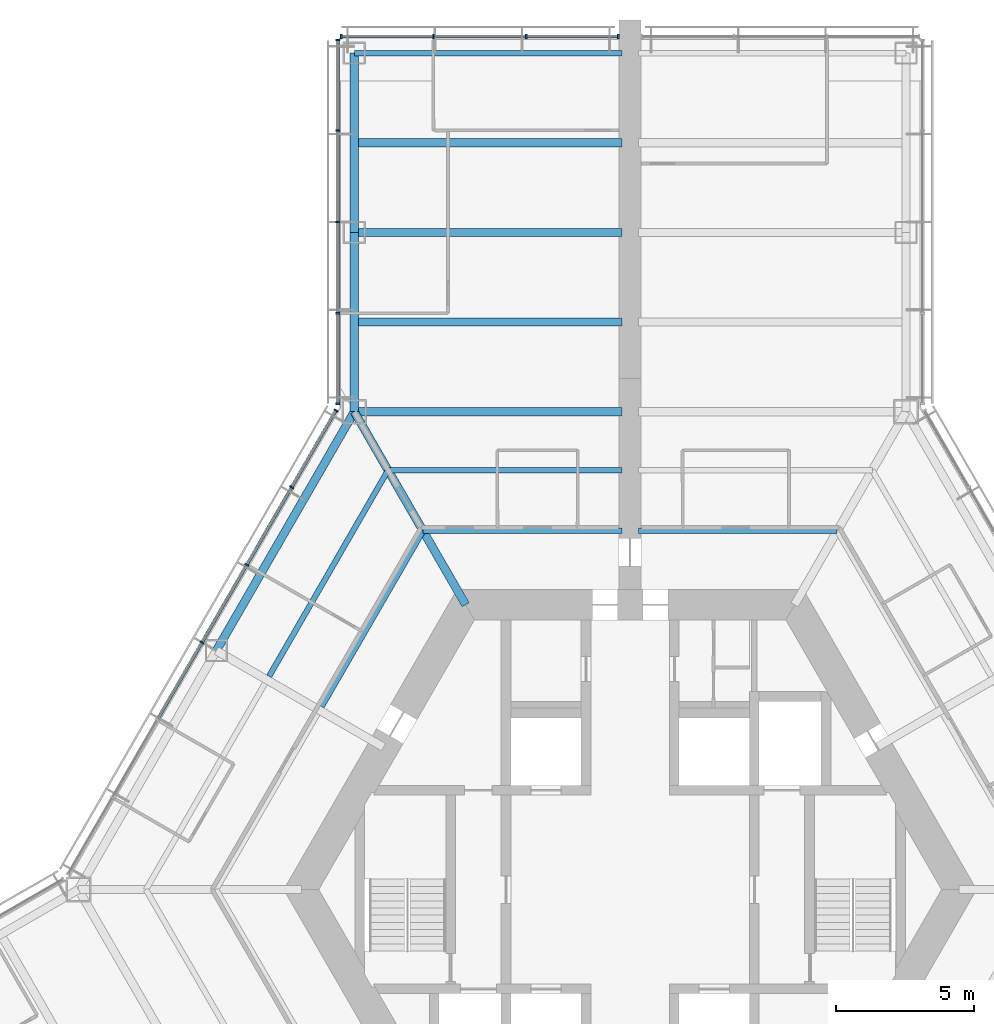
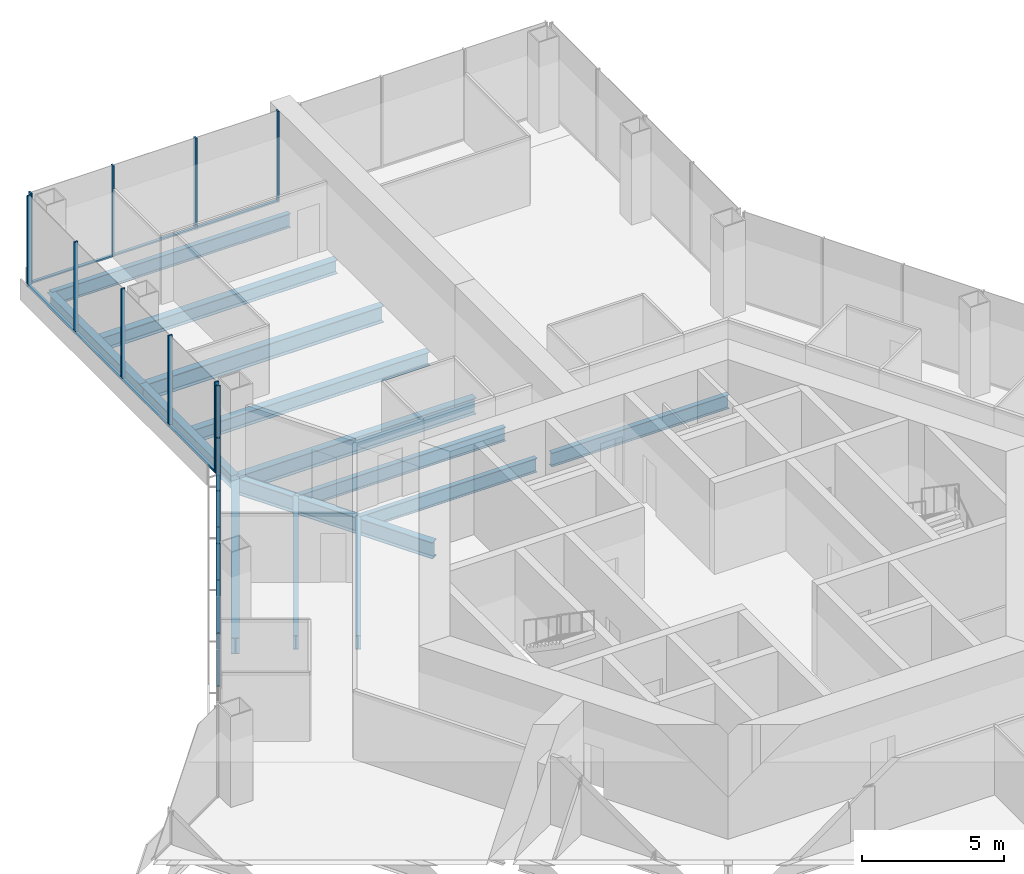
# One storey, part 7 of 18: 24 members, 14 beams, 3 elements without a shape of their own.
"""IFC4 building model written with IfcOpenShell, lengths in metres."""

from ifc_helpers import new_model, si_unit, direction, frame, origin, origin_2d, place, context, subcontext, project, spatial, rectangle, i_section, extrude, material, material_profile, profile_set, type_object, element, aggregate, save


model = new_model("IFC4")

# Units and contexts
model_context = context("Model", 3, precision=1e-05, world=origin(), true_north=direction((0.0, 1.0)))
body_context = subcontext(model_context, "Body", "Model", "MODEL_VIEW")
ifc_project = project(units=[si_unit("LENGTHUNIT", "METRE"), si_unit("AREAUNIT", "SQUARE_METRE"), si_unit("VOLUMEUNIT", "CUBIC_METRE"), si_unit("PLANEANGLEUNIT", "RADIAN"), si_unit("MASSUNIT", "GRAM", prefix="KILO")], contexts=[model_context])

# Site, building, storey
site_placement = place(None, origin())
site = spatial("IfcSite", under=ifc_project, at=site_placement, CompositionType="ELEMENT")
building_placement = place(site_placement, origin())
building = spatial("IfcBuilding", under=site, at=building_placement, Name="Kasaneha Research Tower", CompositionType="ELEMENT")
storey_placement = place(building_placement, frame((0.0, 0.0, 111.89990234375)))
storey = spatial("IfcBuildingStorey", under=building, at=storey_placement, Name="L28", CompositionType="ELEMENT", Elevation=111.89990234375)

# Beams
ifc_material_1 = material(Name="Steel SN490B", Category="steel")
ifc_material_profile_1 = material_profile(ifc_material_1, i_section(OverallWidth=0.199951171875, OverallDepth=0.60009765625, WebThickness=0.010986328125, FlangeThickness=0.01708984375, FilletRadius=0.012939453125, at=origin_2d()), Name="H-600x200x11x17")
ifc_profile_set_1 = profile_set([ifc_material_profile_1], Name="Steel SN490B")
beam_type_1 = type_object("IfcBeamType", Name="B1-3 secondary beam H-600x200x11x17", PredefinedType="JOIST", material=ifc_profile_set_1)
for number, where, z_axis, x_axis, name in (
    (1, (7.505615234375, 13.0, -0.449951171875), (-1.0, 0.0, 0.0), (0.0, -1.0, 0.0), "Secondary beam RS090L1 L28"),
    (2, (-7.505615234375, 13.0, -0.449951171875), (1.0, 0.0, 0.0), (0.0, 1.0, 0.0), "Secondary beam RS090R1 L28"),
):
    element("IfcBeam", number, at=place(storey_placement, frame(where, z_axis=z_axis, x_axis=x_axis)), inside=storey, type_object=beam_type_1, Name=name, PredefinedType="JOIST", context=body_context, shape_type="SweptSolid", body=[
        extrude(i_section(OverallWidth=0.199951171875, OverallDepth=0.60009765625, WebThickness=0.010986328125, FlangeThickness=0.01708984375, FilletRadius=0.012939453125, at=origin_2d()), origin(), (0.0, 0.0, 1.0), 7.20556640625),
    ])
beam_1_placement = place(storey_placement, frame((-8.775634765625, 15.199951171875, -0.449951171875), z_axis=(1.0, 0.0, 0.0), x_axis=(0.0, 1.0, 0.0)))
element("IfcBeam", 3, at=beam_1_placement, inside=storey, type_object=beam_type_1, Name="Secondary beam RS090R2 L28", PredefinedType="JOIST", context=body_context, shape_type="SweptSolid", body=[
    extrude(i_section(OverallWidth=0.199951171875, OverallDepth=0.60009765625, WebThickness=0.010986328125, FlangeThickness=0.01708984375, FilletRadius=0.012939453125, at=origin_2d()), origin(), (0.0, 0.0, 1.0), 8.4755859375),
])
beam_2_placement = place(storey_placement, frame((-7.505615234375, 13.0, -0.449951171875), z_axis=(-0.499994443168, -0.866028611999, 0.0), x_axis=(0.866028611999, -0.499994443168, 0.0)))
element("IfcBeam", 4, at=beam_2_placement, inside=storey, type_object=beam_type_1, Name="Secondary beam RS150L1 L28", PredefinedType="JOIST", context=body_context, shape_type="SweptSolid", body=[
    extrude(i_section(OverallWidth=0.199951171875, OverallDepth=0.60009765625, WebThickness=0.010986328125, FlangeThickness=0.01708984375, FilletRadius=0.012939453125, at=origin_2d()), origin(), (0.0, 0.0, 1.0), 7.35546875),
])
beam_3_placement = place(storey_placement, frame((-8.775634765625, 15.199951171875, -0.449951171875), z_axis=(-0.500017275495, -0.866015429543, 0.0), x_axis=(0.866015429543, -0.500017275495, 0.0)))
element("IfcBeam", 5, at=beam_3_placement, inside=storey, type_object=beam_type_1, Name="Secondary beam RS150L2 L28", PredefinedType="JOIST", context=body_context, shape_type="SweptSolid", body=[
    extrude(i_section(OverallWidth=0.199951171875, OverallDepth=0.60009765625, WebThickness=0.010986328125, FlangeThickness=0.01708984375, FilletRadius=0.012939453125, at=origin_2d()), origin(), (0.0, 0.0, 1.0), 8.625732421875),
])
ifc_material_2 = material(Name="Steel SN490B", Category="steel")
ifc_material_profile_2 = material_profile(ifc_material_2, i_section(OverallWidth=0.300048828125, OverallDepth=0.58203125, WebThickness=0.011962890625, FlangeThickness=0.01708984375, FilletRadius=0.012939453125, at=origin_2d()), Name="H-582x300x12x17")
ifc_profile_set_2 = profile_set([ifc_material_profile_2], Name="Steel SN490B")
beam_type_2 = type_object("IfcBeamType", Name="B2-3 secondary beam H-582x300x12x17", PredefinedType="JOIST", material=ifc_profile_set_2)
for number, where, z_axis, x_axis, name in (
    (6, (-10.0, 20.570556640625, -0.44091796875), (1.0, 0.0, 0.0), (0.0, 1.0, 0.0), "Secondary beam WBAN1 L28"),
    (7, (-10.0, 27.070556640625, -0.44091796875), (1.0, 0.0, 0.0), (0.0, 1.0, 0.0), "Secondary beam WBAN2 L28"),
):
    element("IfcBeam", number, at=place(storey_placement, frame(where, z_axis=z_axis, x_axis=x_axis)), inside=storey, type_object=beam_type_2, Name=name, PredefinedType="JOIST", context=body_context, shape_type="SweptSolid", body=[
        extrude(i_section(OverallWidth=0.300048828125, OverallDepth=0.58203125, WebThickness=0.011962890625, FlangeThickness=0.01708984375, FilletRadius=0.012939453125, at=origin_2d()), origin(), (0.0, 0.0, 1.0), 9.699951171875),
    ])

# Curtain wall, members
ifc_material_3 = material(Name="Glass and aluminium", Category="aluminium")
curtain_wall_type = type_object("IfcCurtainWallType", Name="Low-rise office curtain wall", PredefinedType="USERDEFINED", material=ifc_material_3)
curtain_wall_1_placement = place(storey_placement, origin())
curtain_wall_1 = element("IfcCurtainWall", 8, at=curtain_wall_1_placement, inside=storey, type_object=curtain_wall_type, Name="CW-O1 L28 run 10a", ObjectType="UNITISED CURTAIN WALL", PredefinedType="USERDEFINED")
ifc_material_4 = material(Name="Aluminium 6063-T6", Category="aluminium")
ifc_material_profile_3 = material_profile(ifc_material_4, rectangle(XDim=0.06005859375, YDim=0.159912109375, at=origin_2d()), Name="CW-O1 mullion 60x160")
ifc_profile_set_3 = profile_set([ifc_material_profile_3], Name="Aluminium 6063-T6")
member_type_1 = type_object("IfcMemberType", Name="CW-O1 mullion", PredefinedType="MULLION", material=ifc_profile_set_3)
member_1_placement = place(storey_placement, frame((-0.429931640625, 30.92041015625, 0.0), z_axis=(0.0, 0.0, 1.0), x_axis=(-1.0, 0.0, 0.0)))
member_1 = element("IfcMember", 9, at=member_1_placement, type_object=member_type_1, Name="CW-O1 mullion 1", PredefinedType="MULLION", context=body_context, shape_type="SweptSolid", body=[
    extrude(rectangle(XDim=0.06005859375, YDim=0.159912109375, at=origin_2d()), origin(), (0.0, 0.0, 1.0), 3.900146484375),
])
member_2_placement = place(storey_placement, frame((-3.7666015625, 30.92041015625, 0.0), z_axis=(0.0, 0.0, 1.0), x_axis=(-1.0, 0.0, 0.0)))
member_2 = element("IfcMember", 10, at=member_2_placement, type_object=member_type_1, Name="CW-O1 mullion 2", PredefinedType="MULLION", context=body_context, shape_type="SweptSolid", body=[
    extrude(rectangle(XDim=0.06005859375, YDim=0.159912109375, at=origin_2d()), origin(), (0.0, 0.0, 1.0), 3.900146484375),
])
member_3_placement = place(storey_placement, frame((-7.13330078125, 30.92041015625, 0.0), z_axis=(0.0, 0.0, 1.0), x_axis=(-1.0, 0.0, 0.0)))
member_3 = element("IfcMember", 11, at=member_3_placement, type_object=member_type_1, Name="CW-O1 mullion 3", PredefinedType="MULLION", context=body_context, shape_type="SweptSolid", body=[
    extrude(rectangle(XDim=0.06005859375, YDim=0.159912109375, at=origin_2d()), origin(), (0.0, 0.0, 1.0), 3.900146484375),
])
member_4_placement = place(storey_placement, frame((-10.469970703125, 30.92041015625, 0.0), z_axis=(0.0, 0.0, 1.0), x_axis=(-1.0, 0.0, 0.0)))
member_4 = element("IfcMember", 12, at=member_4_placement, type_object=member_type_1, Name="CW-O1 mullion 4", PredefinedType="MULLION", context=body_context, shape_type="SweptSolid", body=[
    extrude(rectangle(XDim=0.06005859375, YDim=0.159912109375, at=origin_2d()), origin(), (0.0, 0.0, 1.0), 3.900146484375),
])

curtain_wall_2_placement = place(storey_placement, origin())
curtain_wall_2 = element("IfcCurtainWall", 13, at=curtain_wall_2_placement, inside=storey, type_object=curtain_wall_type, Name="CW-O1 L28 run 11a", ObjectType="UNITISED CURTAIN WALL", PredefinedType="USERDEFINED")
member_5_placement = place(storey_placement, frame((-10.60009765625, 30.79052734375, 0.0), z_axis=(0.0, 0.0, 1.0), x_axis=(0.0, -1.0, 0.0)))
member_5 = element("IfcMember", 14, at=member_5_placement, type_object=member_type_1, Name="CW-O1 mullion 1", PredefinedType="MULLION", context=body_context, shape_type="SweptSolid", body=[
    extrude(rectangle(XDim=0.06005859375, YDim=0.159912109375, at=origin_2d()), origin(), (0.0, 0.0, 1.0), 3.900146484375),
])
member_6_placement = place(storey_placement, frame((-10.60009765625, 27.5107421875, 0.0), z_axis=(0.0, 0.0, 1.0), x_axis=(0.0, -1.0, 0.0)))
member_6 = element("IfcMember", 15, at=member_6_placement, type_object=member_type_1, Name="CW-O1 mullion 2", PredefinedType="MULLION", context=body_context, shape_type="SweptSolid", body=[
    extrude(rectangle(XDim=0.06005859375, YDim=0.159912109375, at=origin_2d()), origin(), (0.0, 0.0, 1.0), 3.900146484375),
])
member_7_placement = place(storey_placement, frame((-10.60009765625, 24.200927734375, 0.0), z_axis=(0.0, 0.0, 1.0), x_axis=(0.0, -1.0, 0.0)))
member_7 = element("IfcMember", 16, at=member_7_placement, type_object=member_type_1, Name="CW-O1 mullion 3", PredefinedType="MULLION", context=body_context, shape_type="SweptSolid", body=[
    extrude(rectangle(XDim=0.06005859375, YDim=0.159912109375, at=origin_2d()), origin(), (0.0, 0.0, 1.0), 3.900146484375),
])
member_8_placement = place(storey_placement, frame((-10.60009765625, 20.89111328125, 0.0), z_axis=(0.0, 0.0, 1.0), x_axis=(0.0, -1.0, 0.0)))
member_8 = element("IfcMember", 17, at=member_8_placement, type_object=member_type_1, Name="CW-O1 mullion 4", PredefinedType="MULLION", context=body_context, shape_type="SweptSolid", body=[
    extrude(rectangle(XDim=0.06005859375, YDim=0.159912109375, at=origin_2d()), origin(), (0.0, 0.0, 1.0), 3.900146484375),
])
member_9_placement = place(storey_placement, frame((-10.60009765625, 17.611328125, 0.0), z_axis=(0.0, 0.0, 1.0), x_axis=(0.0, -1.0, 0.0)))
member_9 = element("IfcMember", 18, at=member_9_placement, type_object=member_type_1, Name="CW-O1 mullion 5", PredefinedType="MULLION", context=body_context, shape_type="SweptSolid", body=[
    extrude(rectangle(XDim=0.06005859375, YDim=0.159912109375, at=origin_2d()), origin(), (0.0, 0.0, 1.0), 3.900146484375),
])

curtain_wall_3_placement = place(storey_placement, origin())
curtain_wall_3 = element("IfcCurtainWall", 19, at=curtain_wall_3_placement, inside=storey, type_object=curtain_wall_type, Name="CW-O1 L28 run 12a", ObjectType="UNITISED CURTAIN WALL", PredefinedType="USERDEFINED")
member_10_placement = place(storey_placement, frame((-10.6650390625, 17.36865234375, 0.0), z_axis=(0.0, 0.0, 1.0), x_axis=(-0.49999996188, -0.866025425793, 0.0)))
member_10 = element("IfcMember", 20, at=member_10_placement, type_object=member_type_1, Name="CW-O1 mullion 1", PredefinedType="MULLION", context=body_context, shape_type="SweptSolid", body=[
    extrude(rectangle(XDim=0.06005859375, YDim=0.159912109375, at=origin_2d()), origin(), (0.0, 0.0, 1.0), 3.900146484375),
])
member_11_placement = place(storey_placement, frame((-12.273193359375, 14.583251953125, 0.0), z_axis=(0.0, 0.0, 1.0), x_axis=(-0.49999996188, -0.866025425793, 0.0)))
member_11 = element("IfcMember", 21, at=member_11_placement, type_object=member_type_1, Name="CW-O1 mullion 2", PredefinedType="MULLION", context=body_context, shape_type="SweptSolid", body=[
    extrude(rectangle(XDim=0.06005859375, YDim=0.159912109375, at=origin_2d()), origin(), (0.0, 0.0, 1.0), 3.900146484375),
])
member_12_placement = place(storey_placement, frame((-13.896484375, 11.771728515625, 0.0), z_axis=(0.0, 0.0, 1.0), x_axis=(-0.49999996188, -0.866025425793, 0.0)))
member_12 = element("IfcMember", 22, at=member_12_placement, type_object=member_type_1, Name="CW-O1 mullion 3", PredefinedType="MULLION", context=body_context, shape_type="SweptSolid", body=[
    extrude(rectangle(XDim=0.06005859375, YDim=0.159912109375, at=origin_2d()), origin(), (0.0, 0.0, 1.0), 3.900146484375),
])
member_13_placement = place(storey_placement, frame((-15.51953125, 8.960205078125, 0.0), z_axis=(0.0, 0.0, 1.0), x_axis=(-0.49999996188, -0.866025425793, 0.0)))
member_13 = element("IfcMember", 23, at=member_13_placement, type_object=member_type_1, Name="CW-O1 mullion 4", PredefinedType="MULLION", context=body_context, shape_type="SweptSolid", body=[
    extrude(rectangle(XDim=0.06005859375, YDim=0.159912109375, at=origin_2d()), origin(), (0.0, 0.0, 1.0), 3.900146484375),
])

# Member
ifc_material_5 = material(Name="Aluminium 6063-T6", Category="aluminium")
ifc_material_profile_4 = material_profile(ifc_material_5, rectangle(XDim=0.1201171875, YDim=0.06005859375, at=origin_2d()), Name="CW-O1 transom 120x60")
ifc_profile_set_4 = profile_set([ifc_material_profile_4], Name="Aluminium 6063-T6")
member_type_2 = type_object("IfcMemberType", Name="CW-O1 transom", PredefinedType="USERDEFINED", material=ifc_profile_set_4)
member_14_placement = place(storey_placement, frame((-0.4599609375, 30.92041015625, 0.030029296875), z_axis=(-1.0, 0.0, 0.0), x_axis=(0.0, -1.0, 0.0)))
member_14 = element("IfcMember", 24, at=member_14_placement, type_object=member_type_2, Name="CW-O1 transom 1", ObjectType="TRANSOM", PredefinedType="USERDEFINED", context=body_context, shape_type="SweptSolid", body=[
    extrude(rectangle(XDim=0.1201171875, YDim=0.06005859375, at=origin_2d()), origin(), (0.0, 0.0, 1.0), 3.276611328125),
])

member_15_placement = place(storey_placement, frame((-3.796630859375, 30.92041015625, 0.030029296875), z_axis=(-1.0, 0.0, 0.0), x_axis=(0.0, -1.0, 0.0)))
member_15 = element("IfcMember", 25, at=member_15_placement, type_object=member_type_2, Name="CW-O1 transom 2", ObjectType="TRANSOM", PredefinedType="USERDEFINED", context=body_context, shape_type="SweptSolid", body=[
    extrude(rectangle(XDim=0.1201171875, YDim=0.06005859375, at=origin_2d()), origin(), (0.0, 0.0, 1.0), 3.306640625),
])

member_16_placement = place(storey_placement, frame((-7.163330078125, 30.92041015625, 0.030029296875), z_axis=(-1.0, 0.0, 0.0), x_axis=(0.0, -1.0, 0.0)))
member_16 = element("IfcMember", 26, at=member_16_placement, type_object=member_type_2, Name="CW-O1 transom 3", ObjectType="TRANSOM", PredefinedType="USERDEFINED", context=body_context, shape_type="SweptSolid", body=[
    extrude(rectangle(XDim=0.1201171875, YDim=0.06005859375, at=origin_2d()), origin(), (0.0, 0.0, 1.0), 3.276611328125),
])

aggregate(curtain_wall_1, [member_1, member_2, member_3, member_4, member_14, member_15, member_16])

member_17_placement = place(storey_placement, frame((-10.60009765625, 30.760498046875, 0.030029296875), z_axis=(0.0, -1.0, 0.0), x_axis=(1.0, 0.0, 0.0)))
member_17 = element("IfcMember", 27, at=member_17_placement, type_object=member_type_2, Name="CW-O1 transom 1", ObjectType="TRANSOM", PredefinedType="USERDEFINED", context=body_context, shape_type="SweptSolid", body=[
    extrude(rectangle(XDim=0.1201171875, YDim=0.06005859375, at=origin_2d()), origin(), (0.0, 0.0, 1.0), 3.2197265625),
])

member_18_placement = place(storey_placement, frame((-10.60009765625, 27.480712890625, 0.030029296875), z_axis=(0.0, -1.0, 0.0), x_axis=(1.0, 0.0, 0.0)))
member_18 = element("IfcMember", 28, at=member_18_placement, type_object=member_type_2, Name="CW-O1 transom 2", ObjectType="TRANSOM", PredefinedType="USERDEFINED", context=body_context, shape_type="SweptSolid", body=[
    extrude(rectangle(XDim=0.1201171875, YDim=0.06005859375, at=origin_2d()), origin(), (0.0, 0.0, 1.0), 3.249755859375),
])

member_19_placement = place(storey_placement, frame((-10.60009765625, 24.1708984375, 0.030029296875), z_axis=(0.0, -1.0, 0.0), x_axis=(1.0, 0.0, 0.0)))
member_19 = element("IfcMember", 29, at=member_19_placement, type_object=member_type_2, Name="CW-O1 transom 3", ObjectType="TRANSOM", PredefinedType="USERDEFINED", context=body_context, shape_type="SweptSolid", body=[
    extrude(rectangle(XDim=0.1201171875, YDim=0.06005859375, at=origin_2d()), origin(), (0.0, 0.0, 1.0), 3.249755859375),
])

member_20_placement = place(storey_placement, frame((-10.60009765625, 20.861083984375, 0.030029296875), z_axis=(0.0, -1.0, 0.0), x_axis=(1.0, 0.0, 0.0)))
member_20 = element("IfcMember", 30, at=member_20_placement, type_object=member_type_2, Name="CW-O1 transom 4", ObjectType="TRANSOM", PredefinedType="USERDEFINED", context=body_context, shape_type="SweptSolid", body=[
    extrude(rectangle(XDim=0.1201171875, YDim=0.06005859375, at=origin_2d()), origin(), (0.0, 0.0, 1.0), 3.2197265625),
])

aggregate(curtain_wall_2, [member_5, member_6, member_7, member_8, member_9, member_17, member_18, member_19, member_20])

member_21_placement = place(storey_placement, frame((-10.679931640625, 17.3427734375, 0.030029296875), z_axis=(-0.500023726918, -0.866011704609, 0.0), x_axis=(0.866011704609, -0.500023726918, 0.0)))
member_21 = element("IfcMember", 31, at=member_21_placement, type_object=member_type_2, Name="CW-O1 transom 1", ObjectType="TRANSOM", PredefinedType="USERDEFINED", context=body_context, shape_type="SweptSolid", body=[
    extrude(rectangle(XDim=0.1201171875, YDim=0.06005859375, at=origin_2d()), origin(), (0.0, 0.0, 1.0), 3.156494140625),
])

member_22_placement = place(storey_placement, frame((-12.2880859375, 14.55712890625, 0.030029296875), z_axis=(-0.500012062035, -0.866018439653, 0.0), x_axis=(0.866018439653, -0.500012062035, 0.0)))
member_22 = element("IfcMember", 32, at=member_22_placement, type_object=member_type_2, Name="CW-O1 transom 2", ObjectType="TRANSOM", PredefinedType="USERDEFINED", context=body_context, shape_type="SweptSolid", body=[
    extrude(rectangle(XDim=0.1201171875, YDim=0.06005859375, at=origin_2d()), origin(), (0.0, 0.0, 1.0), 3.1865234375),
])

member_23_placement = place(storey_placement, frame((-13.911376953125, 11.745849609375, 0.030029296875), z_axis=(-0.500012062035, -0.866018439653, 0.0), x_axis=(0.866018439653, -0.500012062035, 0.0)))
member_23 = element("IfcMember", 33, at=member_23_placement, type_object=member_type_2, Name="CW-O1 transom 3", ObjectType="TRANSOM", PredefinedType="USERDEFINED", context=body_context, shape_type="SweptSolid", body=[
    extrude(rectangle(XDim=0.1201171875, YDim=0.06005859375, at=origin_2d()), origin(), (0.0, 0.0, 1.0), 3.1865234375),
])

member_24_placement = place(storey_placement, frame((-15.53466796875, 8.934326171875, 0.030029296875), z_axis=(-0.500012062035, -0.866018439653, 0.0), x_axis=(0.866018439653, -0.500012062035, 0.0)))
member_24 = element("IfcMember", 34, at=member_24_placement, type_object=member_type_2, Name="CW-O1 transom 4", ObjectType="TRANSOM", PredefinedType="USERDEFINED", context=body_context, shape_type="SweptSolid", body=[
    extrude(rectangle(XDim=0.1201171875, YDim=0.06005859375, at=origin_2d()), origin(), (0.0, 0.0, 1.0), 3.1865234375),
])

aggregate(curtain_wall_3, [member_10, member_11, member_12, member_13, member_21, member_22, member_23, member_24])

# Beams
ifc_material_6 = material(Name="Steel SN490B", Category="steel")
ifc_material_profile_5 = material_profile(ifc_material_6, i_section(OverallWidth=0.300048828125, OverallDepth=0.699951171875, WebThickness=0.012939453125, FlangeThickness=0.02392578125, FilletRadius=0.01806640625, at=origin_2d()), Name="H-700x300x13x24")
ifc_profile_set_5 = profile_set([ifc_material_profile_5], Name="Steel SN490B")
beam_type_3 = type_object("IfcBeamType", Name="G1-3 radial girder H-700x300x13x24", PredefinedType="BEAM", material=ifc_profile_set_5)
beam_4_placement = place(storey_placement, frame((-5.961181640625, 10.324951171875, -0.5), z_axis=(-0.49999105496, 0.866030568144, 0.0), x_axis=(-0.866030568144, -0.49999105496, 0.0)))
element("IfcBeam", 35, at=beam_4_placement, inside=storey, type_object=beam_type_3, Name="Radial girder RV120 L28", PredefinedType="BEAM", context=body_context, shape_type="SweptSolid", body=[
    extrude(i_section(OverallWidth=0.300048828125, OverallDepth=0.699951171875, WebThickness=0.012939453125, FlangeThickness=0.02392578125, FilletRadius=0.01806640625, at=origin_2d()), origin(), (0.0, 0.0, 1.0), 8.077880859375),
])
ifc_material_7 = material(Name="Steel SN490B", Category="steel")
ifc_material_profile_6 = material_profile(ifc_material_7, i_section(OverallWidth=0.300048828125, OverallDepth=0.69189453125, WebThickness=0.012939453125, FlangeThickness=0.02001953125, FilletRadius=0.01806640625, at=origin_2d()), Name="H-692x300x13x20")
ifc_profile_set_6 = profile_set([ifc_material_profile_6], Name="Steel SN490B")
beam_type_4 = type_object("IfcBeamType", Name="G3-3 plate edge girder H-692x300x13x20", PredefinedType="BEAM", material=ifc_profile_set_6)
beam_5_placement = place(storey_placement, frame((-10.0, 17.320556640625, -0.495849609375), z_axis=(1.0, 0.0, 0.0), x_axis=(0.0, 1.0, 0.0)))
element("IfcBeam", 36, at=beam_5_placement, inside=storey, type_object=beam_type_4, Name="Plate edge girder PEAN L28", PredefinedType="BEAM", context=body_context, shape_type="SweptSolid", body=[
    extrude(i_section(OverallWidth=0.300048828125, OverallDepth=0.69189453125, WebThickness=0.012939453125, FlangeThickness=0.02001953125, FilletRadius=0.01806640625, at=origin_2d()), origin(), (0.0, 0.0, 1.0), 9.699951171875),
])
ifc_material_8 = material(Name="Steel SN490B", Category="steel")
ifc_material_profile_7 = material_profile(ifc_material_8, i_section(OverallWidth=0.300048828125, OverallDepth=0.699951171875, WebThickness=0.012939453125, FlangeThickness=0.02392578125, FilletRadius=0.01806640625, at=origin_2d()), Name="H-700x300x13x24")
ifc_profile_set_7 = profile_set([ifc_material_profile_7], Name="Steel SN490B")
beam_type_5 = type_object("IfcBeamType", Name="G4-3 wing girder H-700x300x13x24", PredefinedType="BEAM", material=ifc_profile_set_7)
beam_6_placement = place(storey_placement, frame((-10.0, 23.820556640625, -0.5), z_axis=(1.0, 0.0, 0.0), x_axis=(0.0, 1.0, 0.0)))
element("IfcBeam", 37, at=beam_6_placement, inside=storey, type_object=beam_type_5, Name="Wing girder WGAN L28", PredefinedType="BEAM", context=body_context, shape_type="SweptSolid", body=[
    extrude(i_section(OverallWidth=0.300048828125, OverallDepth=0.699951171875, WebThickness=0.012939453125, FlangeThickness=0.02392578125, FilletRadius=0.01806640625, at=origin_2d()), origin(), (0.0, 0.0, 1.0), 9.699951171875),
])
ifc_material_9 = material(Name="Steel SN490B", Category="steel")
ifc_material_profile_8 = material_profile(ifc_material_9, i_section(OverallWidth=0.300048828125, OverallDepth=0.69189453125, WebThickness=0.012939453125, FlangeThickness=0.02001953125, FilletRadius=0.01806640625, at=origin_2d()), Name="H-692x300x13x20")
ifc_profile_set_8 = profile_set([ifc_material_profile_8], Name="Steel SN490B")
beam_type_6 = type_object("IfcBeamType", Name="SB1-3 spandrel beam H-692x300x13x20", PredefinedType="SPANDREL", material=ifc_profile_set_8)
beam_7_placement = place(storey_placement, frame((-10.0, 17.320556640625, -0.495849609375), z_axis=(-0.499993662806, -0.866029062534, 0.0), x_axis=(0.866029062534, -0.499993662806, 0.0)))
element("IfcBeam", 38, at=beam_7_placement, inside=storey, type_object=beam_type_6, Name="Spandrel beam SR150L L28", PredefinedType="SPANDREL", context=body_context, shape_type="SweptSolid", body=[
    extrude(i_section(OverallWidth=0.300048828125, OverallDepth=0.69189453125, WebThickness=0.012939453125, FlangeThickness=0.02001953125, FilletRadius=0.01806640625, at=origin_2d()), origin(), (0.0, 0.0, 1.0), 10.000244140625),
])
ifc_material_10 = material(Name="Steel SN490B", Category="steel")
ifc_material_profile_9 = material_profile(ifc_material_10, i_section(OverallWidth=0.300048828125, OverallDepth=0.58203125, WebThickness=0.011962890625, FlangeThickness=0.01708984375, FilletRadius=0.012939453125, at=origin_2d()), Name="H-582x300x12x17")
ifc_profile_set_9 = profile_set([ifc_material_profile_9], Name="Steel SN490B")
beam_type_7 = type_object("IfcBeamType", Name="SB2-3 spandrel beam H-582x300x12x17", PredefinedType="SPANDREL", material=ifc_profile_set_9)
for number, where, z_axis, x_axis, name in (
    (39, (-10.0, 17.320556640625, -0.44091796875), (0.0, 1.0, 0.0), (-1.0, 0.0, 0.0), "Spandrel beam WSAN1 L28"),
    (40, (-10.0, 23.820556640625, -0.44091796875), (0.0, 1.0, 0.0), (-1.0, 0.0, 0.0), "Spandrel beam WSAN2 L28"),
):
    element("IfcBeam", number, at=place(storey_placement, frame(where, z_axis=z_axis, x_axis=x_axis)), inside=storey, type_object=beam_type_7, Name=name, PredefinedType="SPANDREL", context=body_context, shape_type="SweptSolid", body=[
        extrude(i_section(OverallWidth=0.300048828125, OverallDepth=0.58203125, WebThickness=0.011962890625, FlangeThickness=0.01708984375, FilletRadius=0.012939453125, at=origin_2d()), origin(), (0.0, 0.0, 1.0), 6.5),
    ])
ifc_material_11 = material(Name="Steel SN490B", Category="steel")
ifc_material_profile_10 = material_profile(ifc_material_11, i_section(OverallWidth=0.199951171875, OverallDepth=0.60009765625, WebThickness=0.010986328125, FlangeThickness=0.01708984375, FilletRadius=0.012939453125, at=origin_2d()), Name="H-600x200x11x17")
ifc_profile_set_10 = profile_set([ifc_material_profile_10], Name="Steel SN490B")
beam_type_8 = type_object("IfcBeamType", Name="SB3-3 spandrel beam H-600x200x11x17", PredefinedType="SPANDREL", material=ifc_profile_set_10)
beam_8_placement = place(storey_placement, frame((-10.0, 30.320556640625, -0.449951171875), z_axis=(1.0, 0.0, 0.0), x_axis=(0.0, 1.0, 0.0)))
element("IfcBeam", 41, at=beam_8_placement, inside=storey, type_object=beam_type_8, Name="Spandrel beam WTAN L28", PredefinedType="SPANDREL", context=body_context, shape_type="SweptSolid", body=[
    extrude(i_section(OverallWidth=0.199951171875, OverallDepth=0.60009765625, WebThickness=0.010986328125, FlangeThickness=0.01708984375, FilletRadius=0.012939453125, at=origin_2d()), origin(), (0.0, 0.0, 1.0), 9.699951171875),
])

save(model, "model.ifc")
